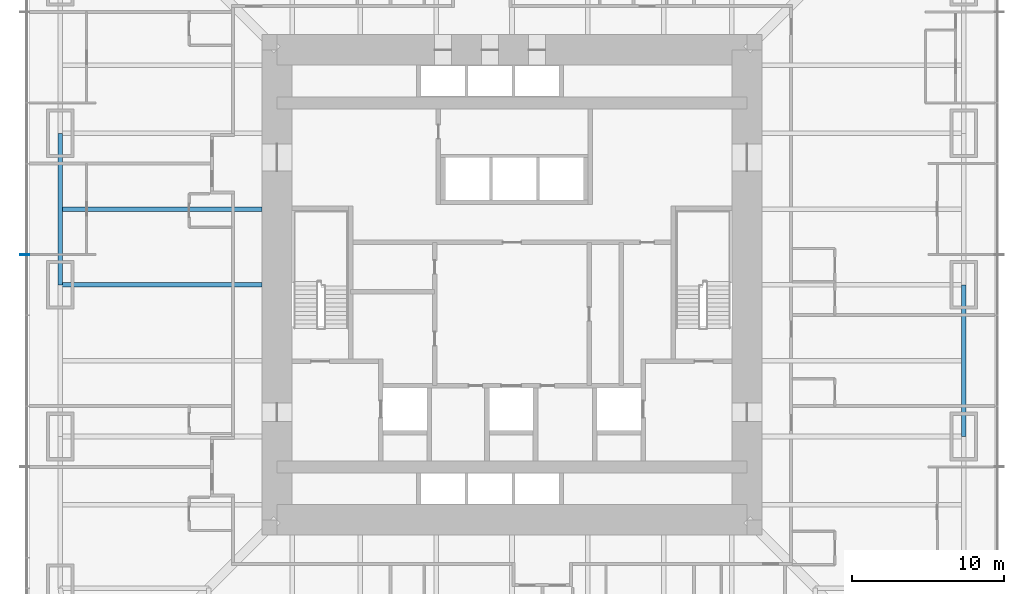
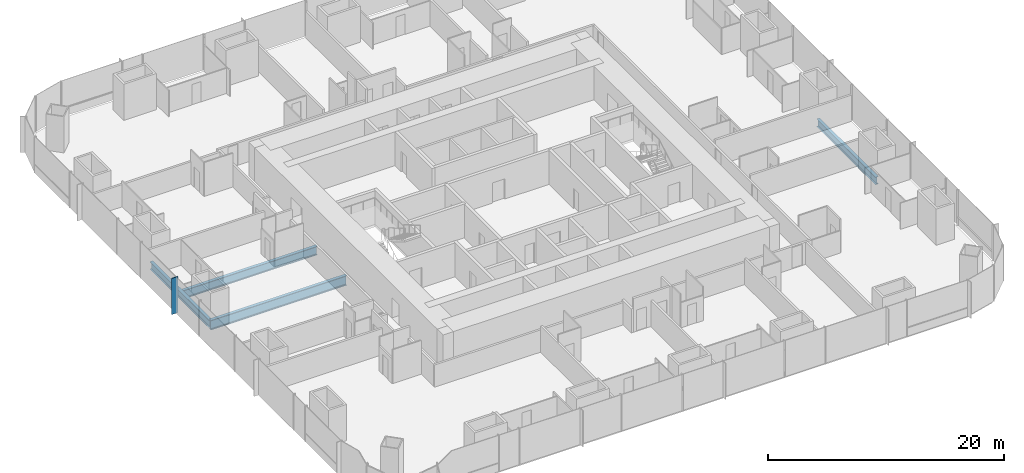
# One storey, part 5 of 20: 4 beams, 1 member, 1 element without a shape of its own.
"""IFC4 building model written with IfcOpenShell, lengths in metres."""

from ifc_helpers import new_model, si_unit, direction, frame, origin, origin_2d, place, context, subcontext, project, spatial, rectangle, i_section, extrude, material, material_profile, profile_set, type_object, element, aggregate, save


model = new_model("IFC4")

# Units and contexts
model_context = context("Model", 3, precision=1e-05, world=origin(), true_north=direction((0.0, 1.0)))
body_context = subcontext(model_context, "Body", "Model", "MODEL_VIEW")
ifc_project = project(units=[si_unit("LENGTHUNIT", "METRE"), si_unit("AREAUNIT", "SQUARE_METRE"), si_unit("VOLUMEUNIT", "CUBIC_METRE"), si_unit("PLANEANGLEUNIT", "RADIAN"), si_unit("MASSUNIT", "GRAM", prefix="KILO")], contexts=[model_context])

# Site, building, storey
site_placement = place(None, origin())
site = spatial("IfcSite", under=ifc_project, at=site_placement, CompositionType="ELEMENT")
building_placement = place(site_placement, origin())
building = spatial("IfcBuilding", under=site, at=building_placement, Name="Khuree Lantern Residences", CompositionType="ELEMENT")
storey_placement = place(building_placement, frame((0.0, 0.0, 28.5)))
storey = spatial("IfcBuildingStorey", under=building, at=storey_placement, Name="L06", CompositionType="ELEMENT", Elevation=28.5)

# Beams
ifc_material_1 = material(Name="Steel S355", Category="steel")
ifc_material_profile_1 = material_profile(ifc_material_1, i_section(OverallWidth=0.300048828125, OverallDepth=0.889892578125, WebThickness=0.01611328125, FlangeThickness=0.030029296875, FilletRadius=0.030029296875, at=origin_2d()), Name="HE 900 A")
ifc_profile_set_1 = profile_set([ifc_material_profile_1], Name="Steel S355")
beam_type_1 = type_object("IfcBeamType", Name="B-11 SECONDARY BEAM HE 900 A", PredefinedType="BEAM", material=ifc_profile_set_1)
beam_1_placement = place(storey_placement, frame((-29.800048828125, 5.0, -0.695068359375), z_axis=(1.0, 0.0, 0.0), x_axis=(0.0, 1.0, 0.0)))
element("IfcBeam", 1, at=beam_1_placement, inside=storey, type_object=beam_type_1, Name="Secondary beam W4", PredefinedType="BEAM", context=body_context, shape_type="SweptSolid", body=[
    extrude(i_section(OverallWidth=0.300048828125, OverallDepth=0.889892578125, WebThickness=0.01611328125, FlangeThickness=0.030029296875, FilletRadius=0.030029296875, at=origin_2d()), origin(), (0.0, 0.0, 1.0), 13.300048828125),
])
ifc_material_profile_2 = material_profile(ifc_material_1, i_section(OverallWidth=0.300048828125, OverallDepth=0.7900390625, WebThickness=0.014892578125, FlangeThickness=0.028076171875, FilletRadius=0.030029296875, at=origin_2d()), Name="HE 800 A")
ifc_profile_set_2 = profile_set([ifc_material_profile_2], Name="Steel S355")
beam_type_2 = type_object("IfcBeamType", Name="E-11 SPANDREL BEAM HE 800 A", PredefinedType="SPANDREL", material=ifc_profile_set_2)
for number, where, z_axis, x_axis, name in (
    (2, (29.800048828125, 0.0, -0.64501953125), (0.0, -1.0, 0.0), (1.0, 0.0, 0.0), "Spandrel beam E4"),
    (3, (-29.800048828125, 0.0, -0.64501953125), (0.0, 1.0, 0.0), (-1.0, 0.0, 0.0), "Spandrel beam W4"),
):
    element("IfcBeam", number, at=place(storey_placement, frame(where, z_axis=z_axis, x_axis=x_axis)), inside=storey, type_object=beam_type_2, Name=name, PredefinedType="SPANDREL", context=body_context, shape_type="SweptSolid", body=[
        extrude(i_section(OverallWidth=0.300048828125, OverallDepth=0.7900390625, WebThickness=0.014892578125, FlangeThickness=0.028076171875, FilletRadius=0.030029296875, at=origin_2d()), origin(), (0.0, 0.0, 1.0), 10.0),
    ])

# Curtain wall, member
ifc_material_2 = material(Name="Bronze anodised aluminium", Category="aluminium")
curtain_wall_type = type_object("IfcCurtainWallType", Name="CW-T1 TOWER FACE CURTAIN WALL", PredefinedType="USERDEFINED", material=ifc_material_2)
curtain_wall_placement = place(storey_placement, origin())
curtain_wall = element("IfcCurtainWall", 4, at=curtain_wall_placement, inside=storey, type_object=curtain_wall_type, Name="L06 WEST FACE CURTAIN WALL", ObjectType="Stick-built curtain wall", PredefinedType="USERDEFINED")
ifc_material_profile_3 = material_profile(ifc_material_2, rectangle(XDim=0.06494140625, YDim=0.60009765625, at=origin_2d()), Name="F1 65X600")
ifc_profile_set_3 = profile_set([ifc_material_profile_3], Name="Bronze anodised aluminium")
member_type = type_object("IfcMemberType", Name="F1 BRONZE FIN MULLION TOWER 65X600", PredefinedType="MULLION", material=ifc_profile_set_3)
member_placement = place(storey_placement, frame((-32.14990234375, 2.0, 0.0), z_axis=(0.0, 0.0, 1.0), x_axis=(0.0, -1.0, 0.0)))
member = element("IfcMember", 5, at=member_placement, type_object=member_type, Name="L06 WEST FACE FIN MULLION 37", PredefinedType="MULLION", context=body_context, shape_type="SweptSolid", body=[
    extrude(rectangle(XDim=0.06494140625, YDim=0.60009765625, at=origin_2d()), origin(), (0.0, 0.0, 1.0), 3.75),
])
aggregate(curtain_wall, [member])

# Beam
ifc_material_profile_4 = material_profile(ifc_material_1, i_section(OverallWidth=0.302001953125, OverallDepth=1.008056640625, WebThickness=0.02099609375, FlangeThickness=0.0400390625, FilletRadius=0.030029296875, at=origin_2d()), Name="HE 1000 M")
ifc_profile_set_4 = profile_set([ifc_material_profile_4], Name="Steel S355")
beam_type_3 = type_object("IfcBeamType", Name="G-11 GIRDER HE 1000 M", PredefinedType="BEAM", material=ifc_profile_set_4)
beam_2_placement = place(storey_placement, frame((-29.800048828125, 0.0, -0.75390625), z_axis=(1.0, 0.0, 0.0), x_axis=(0.0, 1.0, 0.0)))
element("IfcBeam", 6, at=beam_2_placement, inside=storey, type_object=beam_type_3, Name="Girder W3", PredefinedType="BEAM", context=body_context, shape_type="SweptSolid", body=[
    extrude(i_section(OverallWidth=0.302001953125, OverallDepth=1.008056640625, WebThickness=0.02099609375, FlangeThickness=0.0400390625, FilletRadius=0.030029296875, at=origin_2d()), origin(), (0.0, 0.0, 1.0), 13.300048828125),
])

save(model, "model.ifc")
